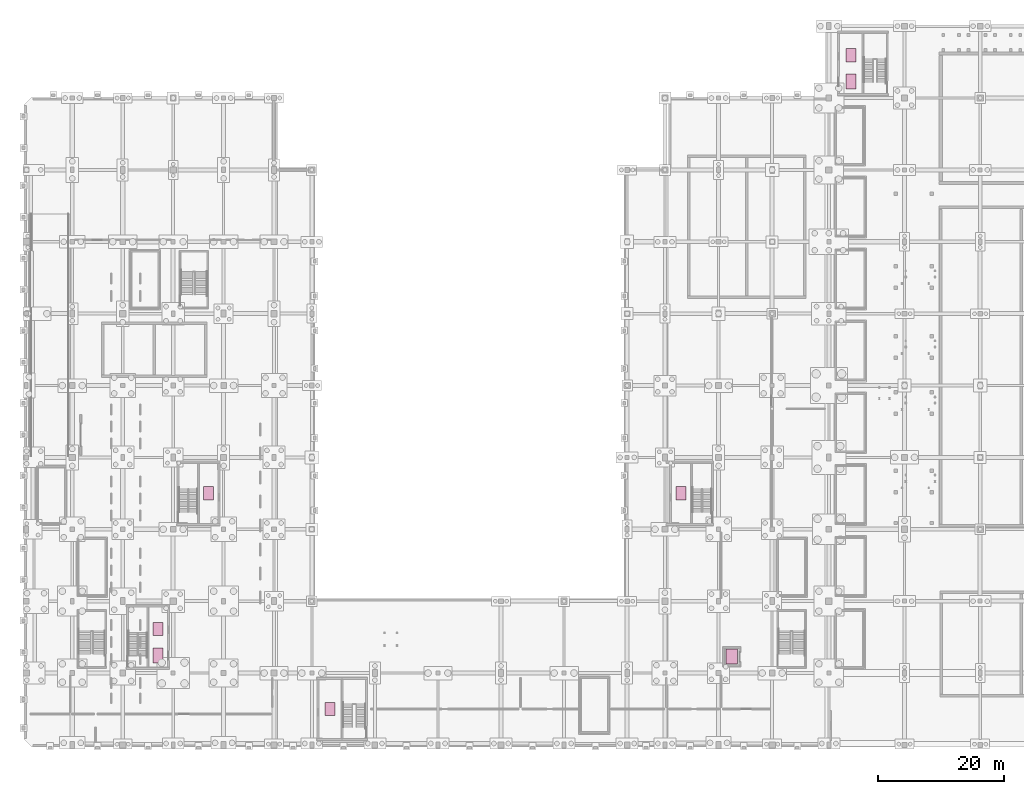
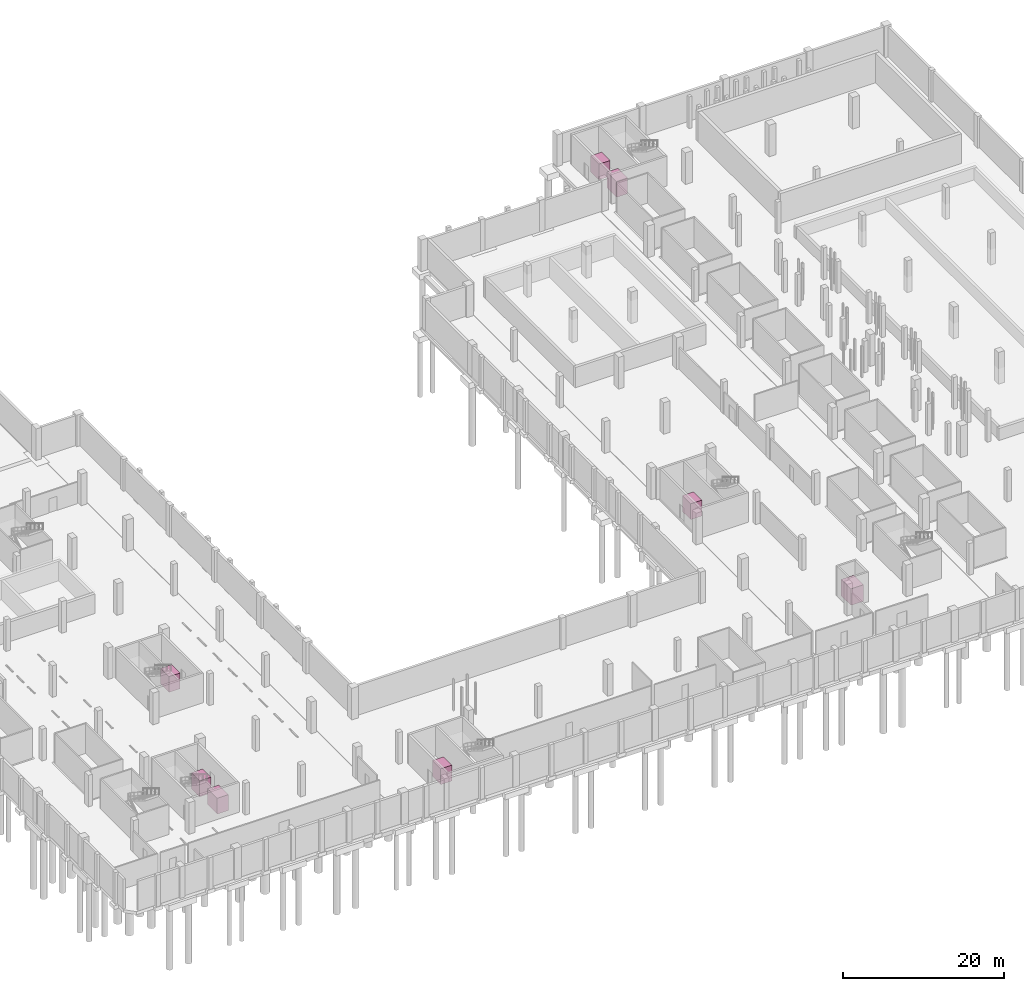
# One storey, part 34 of 34: 8 transport elements.
"""IFC4 building model written with IfcOpenShell, lengths in metres."""

from ifc_helpers import new_model, si_unit, direction, frame, origin, origin_2d, place, context, subcontext, project, spatial, rectangle, extrude, material, type_object, element, save


model = new_model("IFC4")

# Units and contexts
model_context = context("Model", 3, precision=1e-05, world=origin(), true_north=direction((0.0, 1.0)))
body_context = subcontext(model_context, "Body", "Model", "MODEL_VIEW")
ifc_project = project(units=[si_unit("LENGTHUNIT", "METRE"), si_unit("AREAUNIT", "SQUARE_METRE"), si_unit("VOLUMEUNIT", "CUBIC_METRE"), si_unit("PLANEANGLEUNIT", "RADIAN"), si_unit("MASSUNIT", "GRAM", prefix="KILO"), si_unit("POWERUNIT", "WATT"), si_unit("THERMODYNAMICTEMPERATUREUNIT", "KELVIN")], contexts=[model_context])

# Site, building, storey
site_placement = place(None, origin())
site = spatial("IfcSite", under=ifc_project, at=site_placement, CompositionType="ELEMENT")
building_placement = place(site_placement, origin())
building = spatial("IfcBuilding", under=site, at=building_placement, Name="Kelmbourne Parkland Aquatics Centre", CompositionType="ELEMENT")
storey_placement = place(building_placement, frame((0.0, 0.0, -4.800048828125)))
storey = spatial("IfcBuildingStorey", under=building, at=storey_placement, Name="B1", CompositionType="ELEMENT", Elevation=-4.800048828125)

# Transport elements
ifc_material = material(Name="Brushed Grade 316 stainless steel lift car", Category="steel")
transport_element_type_1 = type_object("IfcTransportElementType", Name="LFT-LF01", PredefinedType="ELEVATOR", material=ifc_material)
transport_element_1_placement = place(storey_placement, frame((21.612548828125, 15.0, 0.0), z_axis=(0.0, 0.0, 1.0), x_axis=(1.0, 0.0, 0.0)))
element("IfcTransportElement", 1, at=transport_element_1_placement, inside=storey, type_object=transport_element_type_1, Name="Fire-fighting stretcher lift LF01", PredefinedType="ELEVATOR", context=body_context, shape_type="SweptSolid", body=[
    extrude(rectangle(XDim=1.60009765625, YDim=2.39990234375, at=origin_2d()), origin(), (0.0, 0.0, 1.0), 2.39990234375),
])
transport_element_type_2 = type_object("IfcTransportElementType", Name="LFT-LF02", PredefinedType="ELEVATOR", material=ifc_material)
transport_element_2_placement = place(storey_placement, frame((21.612548828125, 19.199951171875, 0.0), z_axis=(0.0, 0.0, 1.0), x_axis=(1.0, 0.0, 0.0)))
element("IfcTransportElement", 2, at=transport_element_2_placement, inside=storey, type_object=transport_element_type_2, Name="Accessible passenger lift LF02", PredefinedType="ELEVATOR", context=body_context, shape_type="SweptSolid", body=[
    extrude(rectangle(XDim=1.60009765625, YDim=2.10009765625, at=origin_2d()), origin(), (0.0, 0.0, 1.0), 2.39990234375),
])
transport_element_type_3 = type_object("IfcTransportElementType", Name="LFT-LF03", PredefinedType="ELEVATOR", material=ifc_material)
transport_element_3_placement = place(storey_placement, frame((29.612548828125, 40.699951171875, 0.0), z_axis=(0.0, 0.0, 1.0), x_axis=(1.0, 0.0, 0.0)))
element("IfcTransportElement", 3, at=transport_element_3_placement, inside=storey, type_object=transport_element_type_3, Name="Accessible passenger lift LF03", PredefinedType="ELEVATOR", context=body_context, shape_type="SweptSolid", body=[
    extrude(rectangle(XDim=1.60009765625, YDim=2.10009765625, at=origin_2d()), origin(), (0.0, 0.0, 1.0), 2.39990234375),
])
transport_element_type_4 = type_object("IfcTransportElementType", Name="LFT-LF04", PredefinedType="ELEVATOR", material=ifc_material)
transport_element_4_placement = place(storey_placement, frame((48.887451171875, 6.5, 0.0), z_axis=(0.0, 0.0, 1.0), x_axis=(1.0, 0.0, 0.0)))
element("IfcTransportElement", 4, at=transport_element_4_placement, inside=storey, type_object=transport_element_type_4, Name="Accessible passenger lift LF04", PredefinedType="ELEVATOR", context=body_context, shape_type="SweptSolid", body=[
    extrude(rectangle(XDim=1.60009765625, YDim=2.10009765625, at=origin_2d()), origin(), (0.0, 0.0, 1.0), 2.39990234375),
])
transport_element_type_5 = type_object("IfcTransportElementType", Name="LFT-LF05", PredefinedType="ELEVATOR", material=ifc_material)
transport_element_5_placement = place(storey_placement, frame((104.53759765625, 40.699951171875, 0.0), z_axis=(0.0, 0.0, 1.0), x_axis=(1.0, 0.0, 0.0)))
element("IfcTransportElement", 5, at=transport_element_5_placement, inside=storey, type_object=transport_element_type_5, Name="Accessible passenger lift LF05", PredefinedType="ELEVATOR", context=body_context, shape_type="SweptSolid", body=[
    extrude(rectangle(XDim=1.60009765625, YDim=2.10009765625, at=origin_2d()), origin(), (0.0, 0.0, 1.0), 2.39990234375),
])
transport_element_type_6 = type_object("IfcTransportElementType", Name="LFT-LF06", PredefinedType="ELEVATOR", material=ifc_material)
transport_element_6_placement = place(storey_placement, frame((112.60009765625, 14.800048828125, 0.0), z_axis=(0.0, 0.0, 1.0), x_axis=(1.0, 0.0, 0.0)))
element("IfcTransportElement", 6, at=transport_element_6_placement, inside=storey, type_object=transport_element_type_6, Name="Aquatic Chemical and Event Goods Lift", PredefinedType="ELEVATOR", context=body_context, shape_type="SweptSolid", body=[
    extrude(rectangle(XDim=1.800048828125, YDim=2.39990234375, at=origin_2d()), origin(), (0.0, 0.0, 1.0), 2.5),
])
transport_element_type_7 = type_object("IfcTransportElementType", Name="LFT-LF07", PredefinedType="ELEVATOR", material=ifc_material)
transport_element_7_placement = place(storey_placement, frame((131.487548828125, 106.0, 0.0), z_axis=(0.0, 0.0, 1.0), x_axis=(1.0, 0.0, 0.0)))
element("IfcTransportElement", 7, at=transport_element_7_placement, inside=storey, type_object=transport_element_type_7, Name="Fire-fighting stretcher lift LF07", PredefinedType="ELEVATOR", context=body_context, shape_type="SweptSolid", body=[
    extrude(rectangle(XDim=1.60009765625, YDim=2.39990234375, at=origin_2d()), origin(), (0.0, 0.0, 1.0), 2.39990234375),
])
transport_element_type_8 = type_object("IfcTransportElementType", Name="LFT-LF08", PredefinedType="ELEVATOR", material=ifc_material)
transport_element_8_placement = place(storey_placement, frame((131.487548828125, 110.199951171875, 0.0), z_axis=(0.0, 0.0, 1.0), x_axis=(1.0, 0.0, 0.0)))
element("IfcTransportElement", 8, at=transport_element_8_placement, inside=storey, type_object=transport_element_type_8, Name="Accessible passenger lift LF08", PredefinedType="ELEVATOR", context=body_context, shape_type="SweptSolid", body=[
    extrude(rectangle(XDim=1.60009765625, YDim=2.10009765625, at=origin_2d()), origin(), (0.0, 0.0, 1.0), 2.39990234375),
])

save(model, "model.ifc")
